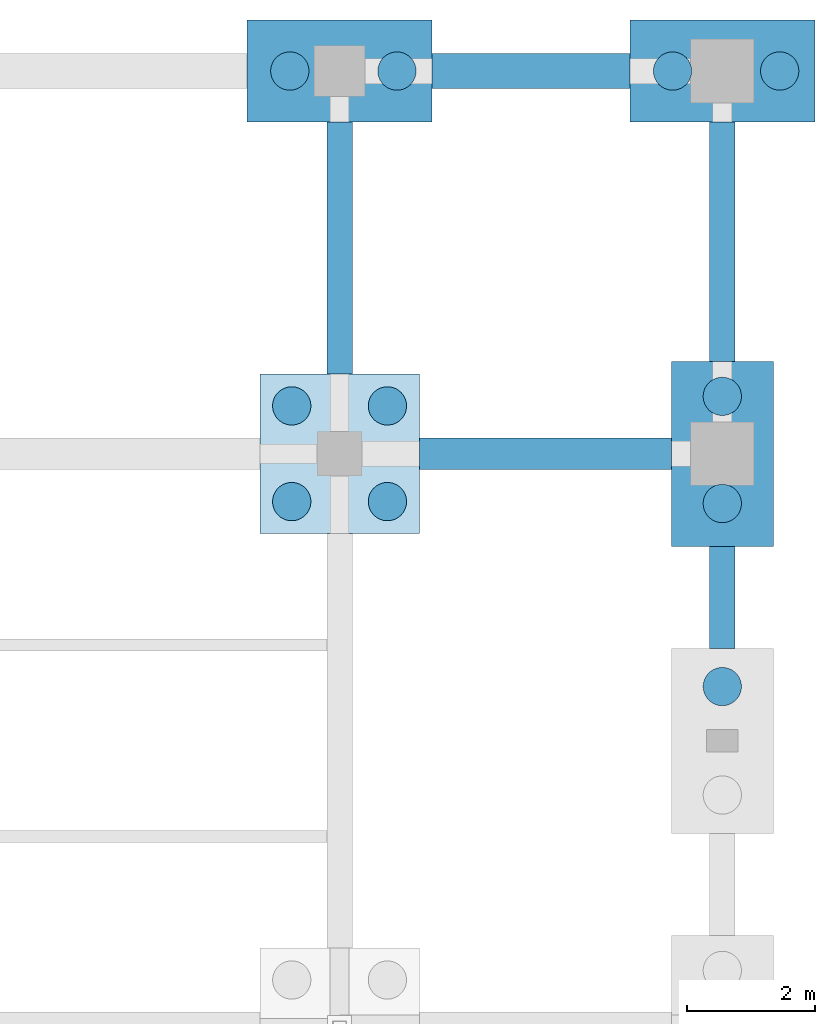
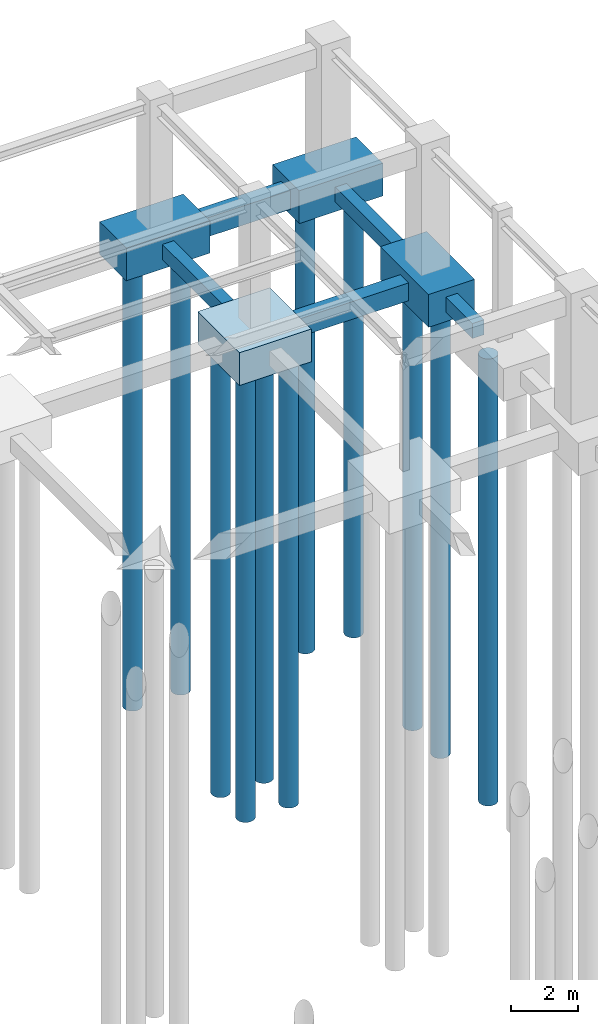
# One storey, part 9 of 49: 11 piles, 9 footings.
"""IFC4 building model written with IfcOpenShell, lengths in metres."""

import ifcopenshell
import ifcopenshell.guid

model = None  # the IFC model being written
_history = None  # IfcOwnerHistory: only IFC2X3 demands one
_inside = {}  # id of a spatial element -> (the spatial element, [elements in it])
_under = {}  # id of a project, library or spatial element -> (it, [spatial elements below it])
_declared = {}  # id of a project -> (the project, [libraries it declares])
_typed = {}  # id of a type object -> (the type object, [elements of that type])
_made_of = {}  # id of a material, layer set ... -> (it, [elements and type objects made of it])


def new_model(schema):
    """Start an empty IFC model of exactly this schema.

    Asked for "IFC4X3", IfcOpenShell would pick the latest addendum, in which some entities
    have other attributes; the version numbers below select the first issue.
    IFC2X3 requires an IfcOwnerHistory on every rooted entity: one is made here for all.
    """
    global model, _history
    if schema == "IFC4X3":
        model = ifcopenshell.file(schema_version=(4, 3, 0, 0))
    else:
        model = ifcopenshell.file(schema=schema)
    _inside.clear()
    _under.clear()
    _declared.clear()
    _typed.clear()
    _made_of.clear()
    _history = None
    if model.schema == "IFC2X3":
        org = make("IfcOrganization", Name="unknown")
        user = make(
            "IfcPersonAndOrganization",
            ThePerson=make("IfcPerson", FamilyName="unknown"),
            TheOrganization=org,
        )
        app = make(
            "IfcApplication",
            ApplicationDeveloper=org,
            Version="unknown",
            ApplicationFullName="unknown",
            ApplicationIdentifier="unknown",
        )
        _history = make(
            "IfcOwnerHistory",
            OwningUser=user,
            OwningApplication=app,
            ChangeAction="ADDED",
            CreationDate=0,
        )
    return model


def make(cls, **values):
    """One entity of the class cls with the attributes given. An attribute that is None is left unset."""
    return model.create_entity(
        cls, **{name: value for name, value in values.items() if value is not None}
    )


def rooted(cls, **values):
    """An entity with a GlobalId (a new one), such as an element, a storey or a relation."""
    return make(cls, GlobalId=ifcopenshell.guid.new(), OwnerHistory=_history, **values)


def si_unit(unit_type, name, prefix=None):
    """IfcSIUnit, for example si_unit("LENGTHUNIT", "METRE", prefix="MILLI")."""
    return make("IfcSIUnit", UnitType=unit_type, Prefix=prefix, Name=name)


def assignment(units):
    """IfcUnitAssignment: the units of a project."""
    return None if units is None else make("IfcUnitAssignment", Units=units)


def point(xyz):
    """IfcCartesianPoint."""
    return None if xyz is None else make("IfcCartesianPoint", Coordinates=xyz)


def direction(xyz):
    """IfcDirection."""
    return None if xyz is None else make("IfcDirection", DirectionRatios=xyz)


def frame(location, z_axis=None, x_axis=None):
    """IfcAxis2Placement3D, a coordinate frame: its origin and axes. An axis left out is left unset."""
    return make(
        "IfcAxis2Placement3D",
        Location=point(location),
        Axis=direction(z_axis),
        RefDirection=direction(x_axis),
    )


def frame_2d(location, x_axis=None):
    """IfcAxis2Placement2D, a coordinate frame in the plane: its origin and x axis."""
    return make(
        "IfcAxis2Placement2D", Location=point(location), RefDirection=direction(x_axis)
    )


def origin():
    """The frame at (0, 0, 0) with its axes left unset."""
    return frame((0.0, 0.0, 0.0))


def origin_2d():
    """The frame at (0, 0) in the plane with its x axis left unset."""
    return frame_2d((0.0, 0.0))


def place(relative_to, where):
    """IfcLocalPlacement: puts the frame where relative to a parent placement (None: the world)."""
    return make(
        "IfcLocalPlacement", PlacementRelTo=relative_to, RelativePlacement=where
    )


def context(
    kind, dimensions, precision=None, world=None, true_north=None, identifier=None
):
    """IfcGeometricRepresentationContext, for example the 3D "Model" context."""
    return make(
        "IfcGeometricRepresentationContext",
        ContextIdentifier=identifier,
        ContextType=kind,
        CoordinateSpaceDimension=dimensions,
        Precision=precision,
        WorldCoordinateSystem=world,
        TrueNorth=true_north,
    )


def subcontext(parent, identifier, kind, view, scale=None):
    """IfcGeometricRepresentationSubContext, for example "Body" below "Model"."""
    return make(
        "IfcGeometricRepresentationSubContext",
        ContextIdentifier=identifier,
        ContextType=kind,
        ParentContext=parent,
        TargetScale=scale,
        TargetView=view,
    )


def project(units=None, contexts=None):
    """IfcProject with its units and contexts."""
    return rooted(
        "IfcProject",
        Name="project",
        RepresentationContexts=contexts,
        UnitsInContext=assignment(units),
    )


def spatial(cls, under=None, at=None, **own):
    """A site, building, storey or space (cls), placed at a placement, below another one or the project."""
    s = rooted(cls, ObjectPlacement=at, **own)
    if under is not None:
        _under.setdefault(under.id(), (under, []))[1].append(s)
    return s


def profile(cls, at=None, kind="AREA", **sizes):
    """A parametric profile (cls). Its sizes go by their IFC names, for example OverallWidth=200.0."""
    return make(cls, ProfileType=kind, Position=at, **sizes)


def rectangle(**sizes):
    """IfcRectangleProfileDef."""
    return profile("IfcRectangleProfileDef", **sizes)


def circle(**sizes):
    """IfcCircleProfileDef."""
    return profile("IfcCircleProfileDef", **sizes)


def extrude(swept, where, along, depth):
    """IfcExtrudedAreaSolid: the profile swept, set in the frame where, extruded along a direction by depth."""
    return make(
        "IfcExtrudedAreaSolid",
        SweptArea=swept,
        Position=where,
        ExtrudedDirection=direction(along),
        Depth=depth,
    )


def shape(context_of_items, identifier, shape_type, items):
    """IfcShapeRepresentation: the items that make up one representation, for example the "Body"."""
    return make(
        "IfcShapeRepresentation",
        ContextOfItems=context_of_items,
        RepresentationIdentifier=identifier,
        RepresentationType=shape_type,
        Items=items,
    )


def material(Name=None, Category=None):
    """IfcMaterial."""
    return make("IfcMaterial", Name=Name, Category=Category)


def material_profile(
    of_material, cross_section, Name=None, Category=None, Priority=None
):
    """IfcMaterialProfile: a cross section and its material."""
    return make(
        "IfcMaterialProfile",
        Name=Name,
        Material=of_material,
        Profile=cross_section,
        Priority=Priority,
        Category=Category,
    )


def profile_set(profiles, Name=None, composite=None):
    """IfcMaterialProfileSet."""
    return make(
        "IfcMaterialProfileSet",
        Name=Name,
        MaterialProfiles=profiles,
        CompositeProfile=composite,
    )


def made_of(thing, what):
    """Note that an element or type object is made of a material, layer set ...; save() writes the relation."""
    if what is not None:
        _made_of.setdefault(what.id(), (what, []))[1].append(thing)
    return thing


def type_object(cls, material=None, **own):
    """A type object (cls), such as IfcWallType, which elements share."""
    return made_of(rooted(cls, **own), material)


def element(
    cls,
    number,
    at=None,
    inside=None,
    cuts=None,
    type_object=None,
    material=None,
    context=None,
    identifier="Body",
    shape_type=None,
    held_by="IfcProductDefinitionShape",
    body=None,
    shapes=None,
    **own,
):
    """One element of the class cls, such as IfcWall. Its Tag is "e" and its number.

    at: its placement. inside: the storey or other place that contains it. cuts: it is an
    opening in that element (IfcRelVoidsElement). A single representation is given by context,
    identifier, shape_type and body (its items); several are given by shapes. held_by: the class
    of the entity that holds the representations. save() writes the other relations.
    """
    e = rooted(cls, Tag="e%d" % number, ObjectPlacement=at, **own)
    if body is not None:
        shapes = [shape(context, identifier, shape_type, body)]
    if shapes is not None:
        e.Representation = make(held_by, Representations=shapes)
    if inside is not None:
        _inside.setdefault(inside.id(), (inside, []))[1].append(e)
    if cuts is not None:
        rooted(
            "IfcRelVoidsElement", RelatingBuildingElement=cuts, RelatedOpeningElement=e
        )
    if type_object is not None:
        _typed.setdefault(type_object.id(), (type_object, []))[1].append(e)
    return made_of(e, material)


def aggregate(whole, parts):
    """IfcRelAggregates: a whole, such as a stair, and the parts it consists of."""
    return rooted("IfcRelAggregates", RelatingObject=whole, RelatedObjects=parts)


def save(model, path):
    """Write the relations noted so far, then the file.

    IfcRelAggregates (storeys below a building ...), IfcRelContainedInSpatialStructure (elements
    in a storey), IfcRelDefinesByType, IfcRelAssociatesMaterial and IfcRelDeclares: one each for
    every whole, place, type object, material and project.
    """
    for whole, parts in _under.values():
        aggregate(whole, parts)
    for where, things in _inside.values():
        rooted(
            "IfcRelContainedInSpatialStructure",
            RelatedElements=things,
            RelatingStructure=where,
        )
    for kind, things in _typed.values():
        rooted("IfcRelDefinesByType", RelatedObjects=things, RelatingType=kind)
    for what, things in _made_of.values():
        rooted("IfcRelAssociatesMaterial", RelatedObjects=things, RelatingMaterial=what)
    for by, libraries in _declared.values():
        rooted("IfcRelDeclares", RelatingContext=by, RelatedDefinitions=libraries)
    model.write(path)


model = new_model("IFC4")

# Units and contexts
model_context = context("Model", 3, precision=1e-05, world=origin(), true_north=direction((0.0, 1.0)))
body_context = subcontext(model_context, "Body", "Model", "MODEL_VIEW")
ifc_project = project(units=[si_unit("LENGTHUNIT", "METRE"), si_unit("AREAUNIT", "SQUARE_METRE"), si_unit("VOLUMEUNIT", "CUBIC_METRE"), si_unit("PLANEANGLEUNIT", "RADIAN"), si_unit("MASSUNIT", "GRAM", prefix="KILO")], contexts=[model_context])

# Site, building, storey
site_placement = place(None, origin())
site = spatial("IfcSite", under=ifc_project, at=site_placement, CompositionType="ELEMENT")
building_placement = place(site_placement, origin())
building = spatial("IfcBuilding", under=site, at=building_placement, Name="Lykobir Media Centre", CompositionType="ELEMENT")
storey_placement = place(building_placement, frame((0.0, 0.0, -4.800048828125)))
storey = spatial("IfcBuildingStorey", under=building, at=storey_placement, Name="B1", CompositionType="ELEMENT", Elevation=-4.800048828125)

# Piles
ifc_material_1 = material(Name="Concrete C30/37", Category="concrete")
ifc_material_profile = material_profile(ifc_material_1, circle(Radius=0.300048828125, at=origin_2d()), Name="BORED PILE D600")
ifc_profile_set = profile_set([ifc_material_profile], Name="Concrete C30/37")
pile_type = type_object("IfcPileType", Name="BP-600", PredefinedType="BORED", material=ifc_profile_set)
for number, where, z_axis, x_axis, name in (
    (1, (161.25, 107.25, -1.099853515625), (0.0, 0.0, -1.0), (1.0, 0.0, 0.0), "Bored pile PILE-1612-1072-1"),
    (2, (162.75, 107.25, -1.099853515625), (0.0, 0.0, -1.0), (1.0, 0.0, 0.0), "Bored pile PILE-1628-1072-2"),
    (3, (161.25, 108.75, -1.099853515625), (0.0, 0.0, -1.0), (1.0, 0.0, 0.0), "Bored pile PILE-1612-1088-3"),
    (4, (162.75, 108.75, -1.099853515625), (0.0, 0.0, -1.0), (1.0, 0.0, 0.0), "Bored pile PILE-1628-1088-4"),
    (5, (161.219970703125, 114.0, -1.099853515625), (0.0, 0.0, -1.0), (1.0, 0.0, 0.0), "Bored pile PILE-1612-1140-1"),
    (6, (162.89990234375, 114.0, -1.099853515625), (0.0, 0.0, -1.0), (1.0, 0.0, 0.0), "Bored pile PILE-1629-1140-2"),
    (7, (168.0, 107.219970703125, -1.099853515625), (0.0, 0.0, -1.0), (1.0, 0.0, 0.0), "Bored pile PILE-1680-1072-1"),
    (8, (168.0, 108.89990234375, -1.099853515625), (0.0, 0.0, -1.0), (1.0, 0.0, 0.0), "Bored pile PILE-1680-1089-2"),
    (9, (167.219970703125, 114.0, -1.099853515625), (0.0, 0.0, -1.0), (1.0, 0.0, 0.0), "Bored pile PILE-1672-1140-1"),
    (10, (168.89990234375, 114.0, -1.099853515625), (0.0, 0.0, -1.0), (1.0, 0.0, 0.0), "Bored pile PILE-1689-1140-2"),
    (11, (168.0, 104.35009765625, -1.099853515625), (0.0, 0.0, -1.0), (1.0, 0.0, 0.0), "Colonnade bored pile PILE-RVK-1680-1044-2"),
):
    element("IfcPile", number, at=place(storey_placement, frame(where, z_axis=z_axis, x_axis=x_axis)), inside=storey, type_object=pile_type, Name=name, PredefinedType="BORED", context=body_context, shape_type="SweptSolid", body=[
        extrude(circle(Radius=0.300048828125, at=origin_2d()), origin(), (0.0, 0.0, 1.0), 16.39990234375),
    ])

# Footings
ifc_material_2 = material(Name="Concrete C35/45", Category="concrete")
footing_type_1 = type_object("IfcFootingType", Name="GB-2", PredefinedType="FOOTING_BEAM", material=ifc_material_2)
footing_1_placement = place(storey_placement, frame((165.0, 114.0, -1.0), z_axis=(0.0, 0.0, 1.0), x_axis=(1.0, 0.0, 0.0)))
element("IfcFooting", 12, at=footing_1_placement, inside=storey, type_object=footing_type_1, Name="Ground tie beam FTG-GB-X-188", PredefinedType="FOOTING_BEAM", context=body_context, shape_type="SweptSolid", body=[
    extrude(rectangle(XDim=3.10009765625, YDim=0.550048828125, at=origin_2d()), origin(), (0.0, 0.0, 1.0), 0.699951171875),
])
footing_type_2 = type_object("IfcFootingType", Name="GB-3", PredefinedType="FOOTING_BEAM", material=ifc_material_2)
footing_2_placement = place(storey_placement, frame((165.22509765625, 108.0, -0.949951171875), z_axis=(0.0, 0.0, 1.0), x_axis=(1.0, 0.0, 0.0)))
element("IfcFooting", 13, at=footing_2_placement, inside=storey, type_object=footing_type_2, Name="Ground tie beam FTG-GB-X-180", PredefinedType="FOOTING_BEAM", context=body_context, shape_type="SweptSolid", body=[
    extrude(rectangle(XDim=3.949951171875, YDim=0.5, at=origin_2d()), origin(), (0.0, 0.0, 1.0), 0.64990234375),
])
footing_type_3 = type_object("IfcFootingType", Name="GB-5", PredefinedType="FOOTING_BEAM", material=ifc_material_2)
footing_3_placement = place(storey_placement, frame((162.0, 111.22509765625, -0.85009765625), z_axis=(0.0, 0.0, 1.0), x_axis=(0.0, 1.0, 0.0)))
element("IfcFooting", 14, at=footing_3_placement, inside=storey, type_object=footing_type_3, Name="Ground tie beam FTG-GB-Y-356", PredefinedType="FOOTING_BEAM", context=body_context, shape_type="SweptSolid", body=[
    extrude(rectangle(XDim=3.949951171875, YDim=0.39990234375, at=origin_2d()), origin(), (0.0, 0.0, 1.0), 0.550048828125),
])
footing_4_placement = place(storey_placement, frame((168.0, 105.75, -0.85009765625), z_axis=(0.0, 0.0, 1.0), x_axis=(0.0, 1.0, 0.0)))
element("IfcFooting", 15, at=footing_4_placement, inside=storey, type_object=footing_type_3, Name="Ground tie beam FTG-GB-Y-364", PredefinedType="FOOTING_BEAM", context=body_context, shape_type="SweptSolid", body=[
    extrude(rectangle(XDim=1.60009765625, YDim=0.39990234375, at=origin_2d()), origin(), (0.0, 0.0, 1.0), 0.550048828125),
])
footing_5_placement = place(storey_placement, frame((168.0, 111.324951171875, -0.85009765625), z_axis=(0.0, 0.0, 1.0), x_axis=(0.0, 1.0, 0.0)))
element("IfcFooting", 16, at=footing_5_placement, inside=storey, type_object=footing_type_3, Name="Ground tie beam FTG-GB-Y-365", PredefinedType="FOOTING_BEAM", context=body_context, shape_type="SweptSolid", body=[
    extrude(rectangle(XDim=3.75, YDim=0.39990234375, at=origin_2d()), origin(), (0.0, 0.0, 1.0), 0.550048828125),
])
footing_type_4 = type_object("IfcFootingType", Name="PC-6", PredefinedType="PILE_CAP", material=ifc_material_2)
footing_6_placement = place(storey_placement, frame((162.0, 108.0, -1.19970703125), z_axis=(0.0, 0.0, 1.0), x_axis=(1.0, 0.0, 0.0)))
element("IfcFooting", 17, at=footing_6_placement, inside=storey, type_object=footing_type_4, Name="Pile cap FTG-PC-1620-1080", PredefinedType="PILE_CAP", context=body_context, shape_type="SweptSolid", body=[
    extrude(rectangle(XDim=2.5, YDim=2.5, at=origin_2d()), origin(), (0.0, 0.0, 1.0), 1.199951171875),
])
footing_type_5 = type_object("IfcFootingType", Name="PC-7", PredefinedType="PILE_CAP", material=ifc_material_2)
for number, where, z_axis, x_axis, name in (
    (18, (162.0, 114.0, -1.19970703125), (0.0, 0.0, 1.0), (1.0, 0.0, 0.0), "Pile cap FTG-PC-1620-1140"),
    (19, (168.0, 114.0, -1.19970703125), (0.0, 0.0, 1.0), (1.0, 0.0, 0.0), "Pile cap FTG-PC-1680-1140"),
):
    element("IfcFooting", number, at=place(storey_placement, frame(where, z_axis=z_axis, x_axis=x_axis)), inside=storey, type_object=footing_type_5, Name=name, PredefinedType="PILE_CAP", context=body_context, shape_type="SweptSolid", body=[
        extrude(rectangle(XDim=2.89990234375, YDim=1.60009765625, at=origin_2d()), origin(), (0.0, 0.0, 1.0), 1.199951171875),
    ])
footing_type_6 = type_object("IfcFootingType", Name="PC-8", PredefinedType="PILE_CAP", material=ifc_material_2)
footing_7_placement = place(storey_placement, frame((168.0, 108.0, -1.19970703125), z_axis=(0.0, 0.0, 1.0), x_axis=(1.0, 0.0, 0.0)))
element("IfcFooting", 20, at=footing_7_placement, inside=storey, type_object=footing_type_6, Name="Pile cap FTG-PC-1680-1080", PredefinedType="PILE_CAP", context=body_context, shape_type="SweptSolid", body=[
    extrude(rectangle(XDim=1.60009765625, YDim=2.89990234375, at=origin_2d()), origin(), (0.0, 0.0, 1.0), 1.199951171875),
])

save(model, "model.ifc")
